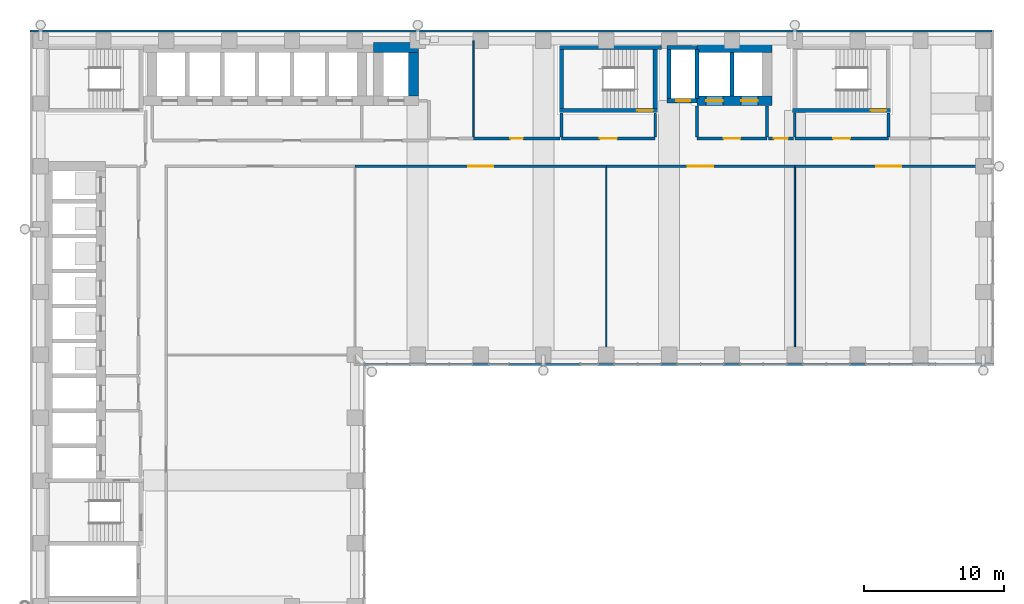
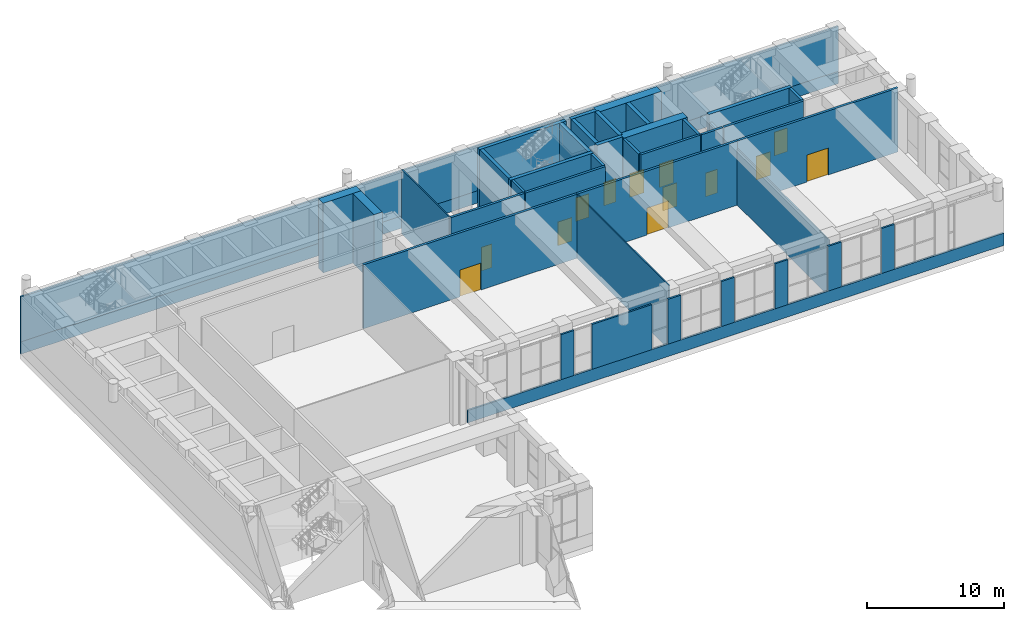
# One storey, part 16 of 22: 41 walls, 13 doors, 13 openings.
"""IFC4 building model written with IfcOpenShell, lengths in metres."""

import ifcopenshell
import ifcopenshell.guid

model = None  # the IFC model being written
_history = None  # IfcOwnerHistory: only IFC2X3 demands one
_inside = {}  # id of a spatial element -> (the spatial element, [elements in it])
_under = {}  # id of a project, library or spatial element -> (it, [spatial elements below it])
_declared = {}  # id of a project -> (the project, [libraries it declares])
_typed = {}  # id of a type object -> (the type object, [elements of that type])
_made_of = {}  # id of a material, layer set ... -> (it, [elements and type objects made of it])


def new_model(schema):
    """Start an empty IFC model of exactly this schema.

    Asked for "IFC4X3", IfcOpenShell would pick the latest addendum, in which some entities
    have other attributes; the version numbers below select the first issue.
    IFC2X3 requires an IfcOwnerHistory on every rooted entity: one is made here for all.
    """
    global model, _history
    if schema == "IFC4X3":
        model = ifcopenshell.file(schema_version=(4, 3, 0, 0))
    else:
        model = ifcopenshell.file(schema=schema)
    _inside.clear()
    _under.clear()
    _declared.clear()
    _typed.clear()
    _made_of.clear()
    _history = None
    if model.schema == "IFC2X3":
        org = make("IfcOrganization", Name="unknown")
        user = make(
            "IfcPersonAndOrganization",
            ThePerson=make("IfcPerson", FamilyName="unknown"),
            TheOrganization=org,
        )
        app = make(
            "IfcApplication",
            ApplicationDeveloper=org,
            Version="unknown",
            ApplicationFullName="unknown",
            ApplicationIdentifier="unknown",
        )
        _history = make(
            "IfcOwnerHistory",
            OwningUser=user,
            OwningApplication=app,
            ChangeAction="ADDED",
            CreationDate=0,
        )
    return model


def make(cls, **values):
    """One entity of the class cls with the attributes given. An attribute that is None is left unset."""
    return model.create_entity(
        cls, **{name: value for name, value in values.items() if value is not None}
    )


def rooted(cls, **values):
    """An entity with a GlobalId (a new one), such as an element, a storey or a relation."""
    return make(cls, GlobalId=ifcopenshell.guid.new(), OwnerHistory=_history, **values)


def si_unit(unit_type, name, prefix=None):
    """IfcSIUnit, for example si_unit("LENGTHUNIT", "METRE", prefix="MILLI")."""
    return make("IfcSIUnit", UnitType=unit_type, Prefix=prefix, Name=name)


def assignment(units):
    """IfcUnitAssignment: the units of a project."""
    return None if units is None else make("IfcUnitAssignment", Units=units)


def point(xyz):
    """IfcCartesianPoint."""
    return None if xyz is None else make("IfcCartesianPoint", Coordinates=xyz)


def direction(xyz):
    """IfcDirection."""
    return None if xyz is None else make("IfcDirection", DirectionRatios=xyz)


def frame(location, z_axis=None, x_axis=None):
    """IfcAxis2Placement3D, a coordinate frame: its origin and axes. An axis left out is left unset."""
    return make(
        "IfcAxis2Placement3D",
        Location=point(location),
        Axis=direction(z_axis),
        RefDirection=direction(x_axis),
    )


def frame_2d(location, x_axis=None):
    """IfcAxis2Placement2D, a coordinate frame in the plane: its origin and x axis."""
    return make(
        "IfcAxis2Placement2D", Location=point(location), RefDirection=direction(x_axis)
    )


def origin():
    """The frame at (0, 0, 0) with its axes left unset."""
    return frame((0.0, 0.0, 0.0))


def place(relative_to, where):
    """IfcLocalPlacement: puts the frame where relative to a parent placement (None: the world)."""
    return make(
        "IfcLocalPlacement", PlacementRelTo=relative_to, RelativePlacement=where
    )


def context(
    kind, dimensions, precision=None, world=None, true_north=None, identifier=None
):
    """IfcGeometricRepresentationContext, for example the 3D "Model" context."""
    return make(
        "IfcGeometricRepresentationContext",
        ContextIdentifier=identifier,
        ContextType=kind,
        CoordinateSpaceDimension=dimensions,
        Precision=precision,
        WorldCoordinateSystem=world,
        TrueNorth=true_north,
    )


def subcontext(parent, identifier, kind, view, scale=None):
    """IfcGeometricRepresentationSubContext, for example "Body" below "Model"."""
    return make(
        "IfcGeometricRepresentationSubContext",
        ContextIdentifier=identifier,
        ContextType=kind,
        ParentContext=parent,
        TargetScale=scale,
        TargetView=view,
    )


def project(units=None, contexts=None):
    """IfcProject with its units and contexts."""
    return rooted(
        "IfcProject",
        Name="project",
        RepresentationContexts=contexts,
        UnitsInContext=assignment(units),
    )


def spatial(cls, under=None, at=None, **own):
    """A site, building, storey or space (cls), placed at a placement, below another one or the project."""
    s = rooted(cls, ObjectPlacement=at, **own)
    if under is not None:
        _under.setdefault(under.id(), (under, []))[1].append(s)
    return s


def profile(cls, at=None, kind="AREA", **sizes):
    """A parametric profile (cls). Its sizes go by their IFC names, for example OverallWidth=200.0."""
    return make(cls, ProfileType=kind, Position=at, **sizes)


def rectangle(**sizes):
    """IfcRectangleProfileDef."""
    return profile("IfcRectangleProfileDef", **sizes)


def extrude(swept, where, along, depth):
    """IfcExtrudedAreaSolid: the profile swept, set in the frame where, extruded along a direction by depth."""
    return make(
        "IfcExtrudedAreaSolid",
        SweptArea=swept,
        Position=where,
        ExtrudedDirection=direction(along),
        Depth=depth,
    )


def shape(context_of_items, identifier, shape_type, items):
    """IfcShapeRepresentation: the items that make up one representation, for example the "Body"."""
    return make(
        "IfcShapeRepresentation",
        ContextOfItems=context_of_items,
        RepresentationIdentifier=identifier,
        RepresentationType=shape_type,
        Items=items,
    )


def material(Name=None, Category=None):
    """IfcMaterial."""
    return make("IfcMaterial", Name=Name, Category=Category)


def layer(
    of_material, thickness, ventilated=None, Name=None, Category=None, Priority=None
):
    """IfcMaterialLayer: one layer of a wall or slab, of a material (None: an air gap)."""
    return make(
        "IfcMaterialLayer",
        Material=of_material,
        LayerThickness=thickness,
        IsVentilated=ventilated,
        Name=Name,
        Category=Category,
        Priority=Priority,
    )


def layer_set(layers, Name=None):
    """IfcMaterialLayerSet."""
    return make("IfcMaterialLayerSet", MaterialLayers=layers, LayerSetName=Name)


def made_of(thing, what):
    """Note that an element or type object is made of a material, layer set ...; save() writes the relation."""
    if what is not None:
        _made_of.setdefault(what.id(), (what, []))[1].append(thing)
    return thing


def type_object(cls, material=None, **own):
    """A type object (cls), such as IfcWallType, which elements share."""
    return made_of(rooted(cls, **own), material)


def element(
    cls,
    number,
    at=None,
    inside=None,
    cuts=None,
    type_object=None,
    material=None,
    context=None,
    identifier="Body",
    shape_type=None,
    held_by="IfcProductDefinitionShape",
    body=None,
    shapes=None,
    **own,
):
    """One element of the class cls, such as IfcWall. Its Tag is "e" and its number.

    at: its placement. inside: the storey or other place that contains it. cuts: it is an
    opening in that element (IfcRelVoidsElement). A single representation is given by context,
    identifier, shape_type and body (its items); several are given by shapes. held_by: the class
    of the entity that holds the representations. save() writes the other relations.
    """
    e = rooted(cls, Tag="e%d" % number, ObjectPlacement=at, **own)
    if body is not None:
        shapes = [shape(context, identifier, shape_type, body)]
    if shapes is not None:
        e.Representation = make(held_by, Representations=shapes)
    if inside is not None:
        _inside.setdefault(inside.id(), (inside, []))[1].append(e)
    if cuts is not None:
        rooted(
            "IfcRelVoidsElement", RelatingBuildingElement=cuts, RelatedOpeningElement=e
        )
    if type_object is not None:
        _typed.setdefault(type_object.id(), (type_object, []))[1].append(e)
    return made_of(e, material)


def fill(opening, filler):
    """IfcRelFillsElement: the door or window that sits in an opening."""
    return rooted(
        "IfcRelFillsElement",
        RelatingOpeningElement=opening,
        RelatedBuildingElement=filler,
    )


def aggregate(whole, parts):
    """IfcRelAggregates: a whole, such as a stair, and the parts it consists of."""
    return rooted("IfcRelAggregates", RelatingObject=whole, RelatedObjects=parts)


def save(model, path):
    """Write the relations noted so far, then the file.

    IfcRelAggregates (storeys below a building ...), IfcRelContainedInSpatialStructure (elements
    in a storey), IfcRelDefinesByType, IfcRelAssociatesMaterial and IfcRelDeclares: one each for
    every whole, place, type object, material and project.
    """
    for whole, parts in _under.values():
        aggregate(whole, parts)
    for where, things in _inside.values():
        rooted(
            "IfcRelContainedInSpatialStructure",
            RelatedElements=things,
            RelatingStructure=where,
        )
    for kind, things in _typed.values():
        rooted("IfcRelDefinesByType", RelatedObjects=things, RelatingType=kind)
    for what, things in _made_of.values():
        rooted("IfcRelAssociatesMaterial", RelatedObjects=things, RelatingMaterial=what)
    for by, libraries in _declared.values():
        rooted("IfcRelDeclares", RelatingContext=by, RelatedDefinitions=libraries)
    model.write(path)


model = new_model("IFC4")

# Units and contexts
model_context = context("Model", 3, precision=1e-05, world=origin(), true_north=direction((0.0, 1.0)))
body_context = subcontext(model_context, "Body", "Model", "MODEL_VIEW")
ifc_project = project(units=[si_unit("LENGTHUNIT", "METRE"), si_unit("AREAUNIT", "SQUARE_METRE"), si_unit("VOLUMEUNIT", "CUBIC_METRE"), si_unit("PLANEANGLEUNIT", "RADIAN"), si_unit("MASSUNIT", "GRAM", prefix="KILO")], contexts=[model_context])

# Site, building, storey
site_placement = place(None, origin())
site = spatial("IfcSite", under=ifc_project, at=site_placement, CompositionType="ELEMENT")
building_placement = place(site_placement, origin())
building = spatial("IfcBuilding", under=site, at=building_placement, Name="Firuza Court", CompositionType="ELEMENT")
storey_placement = place(building_placement, frame((0.0, 0.0, 113.60009765625)))
storey = spatial("IfcBuildingStorey", under=building, at=storey_placement, Name="L28", CompositionType="ELEMENT", Elevation=113.60009765625)

# Wall, opening, door
ifc_material_1 = material(Name="Concrete C60/75", Category="concrete")
ifc_layer_1 = layer(ifc_material_1, 0.300048828125)
ifc_layer_set_1 = layer_set([ifc_layer_1], Name="Concrete C60/75")
wall_type_1 = type_object("IfcWallType", Name="Core wall 300 C60/75", PredefinedType="SHEAR", material=ifc_layer_set_1)
wall_1_placement = place(storey_placement, frame((37.14990234375, 53.5, -0.5), z_axis=(0.0, 0.0, 1.0), x_axis=(1.0, 0.0, 0.0)))
wall_1 = element("IfcWall", 1, at=wall_1_placement, inside=storey, type_object=wall_type_1, Name="Core wall stair L28", PredefinedType="SHEAR", context=body_context, shape_type="SweptSolid", body=[
    extrude(rectangle(XDim=7.0, YDim=0.300048828125, at=frame_2d((3.5, 0.0))), origin(), (0.0, 0.0, 1.0), 6.199951171875),
])
opening_1_placement = place(wall_1_placement, frame((5.580078125, 0.0, 0.5)))
opening_1 = element("IfcOpeningElement", 2, at=opening_1_placement, cuts=wall_1, Name="Opening D28015", PredefinedType="OPENING", context=body_context, shape_type="SweptSolid", body=[
    extrude(rectangle(XDim=1.10009765625, YDim=2.10009765625, at=frame_2d((0.550048828125, 1.050048828125))), frame((0.0, 0.162109375, 0.0), z_axis=(0.0, -1.0, 0.0), x_axis=(1.0, 0.0, 0.0)), (0.0, 0.0, 1.0), 0.323974609375),
])
ifc_material_2 = material(Name="Timber door leaf in hardwood frame", Category="wood")
door_type_1 = type_object("IfcDoorType", Name="Stair door 1100", OperationType="SINGLE_SWING_LEFT", PredefinedType="DOOR", material=ifc_material_2)
door_1_placement = place(opening_1_placement, origin())
door_1 = element("IfcDoor", 3, at=door_1_placement, inside=storey, type_object=door_type_1, Name="Stair door S1", OperationType="SINGLE_SWING_RIGHT", OverallHeight=2.10009765625, OverallWidth=1.10009765625, PredefinedType="DOOR", context=body_context, shape_type="SweptSolid", body=[
    extrude(rectangle(XDim=1.10009765625, YDim=2.10009765625, at=frame_2d((0.550048828125, 1.050048828125))), frame((0.0, 0.02490234375, 0.0), z_axis=(0.0, -1.0, 0.0), x_axis=(1.0, 0.0, 0.0)), (0.0, 0.0, 1.0), 0.050048828125),
])
fill(opening_1, door_1)

# Walls
wall_2_placement = place(storey_placement, frame((37.14990234375, 58.0, -0.5), z_axis=(0.0, 0.0, 1.0), x_axis=(1.0, 0.0, 0.0)))
element("IfcWall", 4, at=wall_2_placement, inside=storey, type_object=wall_type_1, Name="Core wall stair L28", PredefinedType="SHEAR", context=body_context, shape_type="SweptSolid", body=[
    extrude(rectangle(XDim=7.300048828125, YDim=0.300048828125, at=frame_2d((3.64990234375, 0.0))), origin(), (0.0, 0.0, 1.0), 6.199951171875),
])
for number, where, z_axis, x_axis, name in (
    (5, (37.300048828125, 53.64990234375, -0.5), (0.0, 0.0, 1.0), (0.0, 1.0, 0.0), "Core wall stair L28"),
    (6, (44.0, 53.64990234375, -0.5), (0.0, 0.0, 1.0), (0.0, 1.0, 0.0), "Core wall stair L28"),
):
    element("IfcWall", number, at=place(storey_placement, frame(where, z_axis=z_axis, x_axis=x_axis)), inside=storey, type_object=wall_type_1, Name=name, PredefinedType="SHEAR", context=body_context, shape_type="SweptSolid", body=[
        extrude(rectangle(XDim=4.2001953125, YDim=0.300048828125, at=frame_2d((2.10009765625, 0.0))), origin(), (0.0, 0.0, 1.0), 6.199951171875),
    ])

# Wall, opening, door
wall_3_placement = place(storey_placement, frame((44.85009765625, 54.199951171875, -0.5), z_axis=(0.0, 0.0, 1.0), x_axis=(1.0, 0.0, 0.0)))
wall_3 = element("IfcWall", 7, at=wall_3_placement, inside=storey, type_object=wall_type_1, Name="Core wall riser L28", PredefinedType="SHEAR", context=body_context, shape_type="SweptSolid", body=[
    extrude(rectangle(XDim=2.14990234375, YDim=0.300048828125, at=frame_2d((1.074951171875, 0.0))), origin(), (0.0, 0.0, 1.0), 6.199951171875),
])
opening_2_placement = place(wall_3_placement, frame((0.64990234375, 0.0, 0.5)))
opening_2 = element("IfcOpeningElement", 8, at=opening_2_placement, cuts=wall_3, Name="Opening D28013", PredefinedType="OPENING", context=body_context, shape_type="SweptSolid", body=[
    extrude(rectangle(XDim=1.0, YDim=2.10009765625, at=frame_2d((0.5, 1.050048828125))), frame((0.0, 0.162109375, 0.0), z_axis=(0.0, -1.0, 0.0), x_axis=(1.0, 0.0, 0.0)), (0.0, 0.0, 1.0), 0.323974609375),
])
ifc_material_3 = material(Name="Timber door leaf in hardwood frame", Category="wood")
door_type_2 = type_object("IfcDoorType", Name="Riser door 1000", OperationType="SINGLE_SWING_LEFT", PredefinedType="DOOR", material=ifc_material_3)
door_2_placement = place(opening_2_placement, frame((1.0, 0.0, 0.0), z_axis=(0.0, 0.0, 1.0), x_axis=(-1.0, 0.0, 0.0)))
door_2 = element("IfcDoor", 9, at=door_2_placement, inside=storey, type_object=door_type_2, Name="Riser door R3", OperationType="SINGLE_SWING_RIGHT", OverallHeight=2.10009765625, OverallWidth=1.0, PredefinedType="DOOR", context=body_context, shape_type="SweptSolid", body=[
    extrude(rectangle(XDim=1.0, YDim=2.10009765625, at=frame_2d((0.5, 1.050048828125))), frame((0.0, 0.02490234375, 0.0), z_axis=(0.0, -1.0, 0.0), x_axis=(1.0, 0.0, 0.0)), (0.0, 0.0, 1.0), 0.050048828125),
])
fill(opening_2, door_2)

# Walls
wall_4_placement = place(storey_placement, frame((44.85009765625, 58.0, -0.5), z_axis=(0.0, 0.0, 1.0), x_axis=(1.0, 0.0, 0.0)))
element("IfcWall", 10, at=wall_4_placement, inside=storey, type_object=wall_type_1, Name="Core wall riser L28", PredefinedType="SHEAR", context=body_context, shape_type="SweptSolid", body=[
    extrude(rectangle(XDim=2.14990234375, YDim=0.300048828125, at=frame_2d((1.074951171875, 0.0))), origin(), (0.0, 0.0, 1.0), 6.199951171875),
])
for number, where, z_axis, x_axis, name in (
    (11, (45.0, 54.35009765625, -0.5), (0.0, 0.0, 1.0), (0.0, 1.0, 0.0), "Core wall riser L28"),
    (12, (47.0, 54.35009765625, -0.5), (0.0, 0.0, 1.0), (0.0, 1.0, 0.0), "Core wall lift shaft L28"),
):
    element("IfcWall", number, at=place(storey_placement, frame(where, z_axis=z_axis, x_axis=x_axis)), inside=storey, type_object=wall_type_1, Name=name, PredefinedType="SHEAR", context=body_context, shape_type="SweptSolid", body=[
        extrude(rectangle(XDim=3.5, YDim=0.300048828125, at=frame_2d((1.75, 0.0))), origin(), (0.0, 0.0, 1.0), 6.199951171875),
    ])
wall_5_placement = place(storey_placement, frame((49.5, 54.550048828125, -0.5), z_axis=(0.0, 0.0, 1.0), x_axis=(0.0, 1.0, 0.0)))
element("IfcWall", 13, at=wall_5_placement, inside=storey, type_object=wall_type_1, Name="Core wall lift shaft L28", PredefinedType="SHEAR", context=body_context, shape_type="SweptSolid", body=[
    extrude(rectangle(XDim=3.099853515625, YDim=0.300048828125, at=frame_2d((1.5498046875, 0.0))), origin(), (0.0, 0.0, 1.0), 6.199951171875),
])

# Wall, opening, door
wall_6_placement = place(storey_placement, frame((53.85009765625, 53.5, -0.5), z_axis=(0.0, 0.0, 1.0), x_axis=(1.0, 0.0, 0.0)))
wall_6 = element("IfcWall", 14, at=wall_6_placement, inside=storey, type_object=wall_type_1, Name="Core wall stair L28", PredefinedType="SHEAR", context=body_context, shape_type="SweptSolid", body=[
    extrude(rectangle(XDim=7.0, YDim=0.300048828125, at=frame_2d((3.5, 0.0))), origin(), (0.0, 0.0, 1.0), 6.199951171875),
])
opening_3_placement = place(wall_6_placement, frame((5.580078125, 0.0, 0.5)))
opening_3 = element("IfcOpeningElement", 15, at=opening_3_placement, cuts=wall_6, Name="Opening D28019", PredefinedType="OPENING", context=body_context, shape_type="SweptSolid", body=[
    extrude(rectangle(XDim=1.10009765625, YDim=2.10009765625, at=frame_2d((0.550048828125, 1.050048828125))), frame((0.0, 0.162109375, 0.0), z_axis=(0.0, -1.0, 0.0), x_axis=(1.0, 0.0, 0.0)), (0.0, 0.0, 1.0), 0.323974609375),
])
door_3_placement = place(opening_3_placement, origin())
door_3 = element("IfcDoor", 16, at=door_3_placement, inside=storey, type_object=door_type_1, Name="Stair door S4", OperationType="SINGLE_SWING_RIGHT", OverallHeight=2.10009765625, OverallWidth=1.10009765625, PredefinedType="DOOR", context=body_context, shape_type="SweptSolid", body=[
    extrude(rectangle(XDim=1.10009765625, YDim=2.10009765625, at=frame_2d((0.550048828125, 1.050048828125))), frame((0.0, 0.02490234375, 0.0), z_axis=(0.0, -1.0, 0.0), x_axis=(1.0, 0.0, 0.0)), (0.0, 0.0, 1.0), 0.050048828125),
])
fill(opening_3, door_3)

# Walls
ifc_layer_2 = layer(ifc_material_1, 0.699951171875)
ifc_layer_set_2 = layer_set([ifc_layer_2], Name="Concrete C60/75")
wall_type_2 = type_object("IfcWallType", Name="Core wall 700 C60/75", PredefinedType="SHEAR", material=ifc_layer_set_2)
wall_7_placement = place(storey_placement, frame((23.85009765625, 58.0, -0.5), z_axis=(0.0, 0.0, 1.0), x_axis=(1.0, 0.0, 0.0)))
element("IfcWall", 17, at=wall_7_placement, inside=storey, type_object=wall_type_2, Name="Core wall lift shaft L28", PredefinedType="SHEAR", context=body_context, shape_type="SweptSolid", body=[
    extrude(rectangle(XDim=3.199951171875, YDim=0.699951171875, at=frame_2d((1.60009765625, 0.0))), origin(), (0.0, 0.0, 1.0), 6.199951171875),
])
wall_8_placement = place(storey_placement, frame((26.699951171875, 54.550048828125, -0.5), z_axis=(0.0, 0.0, 1.0), x_axis=(0.0, 1.0, 0.0)))
element("IfcWall", 18, at=wall_8_placement, inside=storey, type_object=wall_type_2, Name="Core wall lift shaft L28", PredefinedType="SHEAR", context=body_context, shape_type="SweptSolid", body=[
    extrude(rectangle(XDim=3.099853515625, YDim=0.699951171875, at=frame_2d((1.5498046875, 0.0))), origin(), (0.0, 0.0, 1.0), 6.199951171875),
])

# Wall, openings, doors
wall_9_placement = place(storey_placement, frame((47.0, 54.199951171875, -0.5), z_axis=(0.0, 0.0, 1.0), x_axis=(1.0, 0.0, 0.0)))
wall_9 = element("IfcWall", 19, at=wall_9_placement, inside=storey, type_object=wall_type_2, Name="Core wall lift shaft L28", PredefinedType="SHEAR", context=body_context, shape_type="SweptSolid", body=[
    extrude(rectangle(XDim=5.35009765625, YDim=0.699951171875, at=frame_2d((2.675048828125, 0.0))), origin(), (0.0, 0.0, 1.0), 6.199951171875),
])
opening_4_placement = place(wall_9_placement, frame((0.64990234375, 0.0, 0.5)))
opening_4 = element("IfcOpeningElement", 20, at=opening_4_placement, cuts=wall_9, Name="Opening LD-SH1-28", PredefinedType="OPENING", context=body_context, shape_type="SweptSolid", body=[
    extrude(rectangle(XDim=1.199951171875, YDim=2.10009765625, at=frame_2d((0.60009765625, 1.050048828125))), frame((0.0, 0.36181640625, 0.0), z_axis=(0.0, -1.0, 0.0), x_axis=(1.0, 0.0, 0.0)), (0.0, 0.0, 1.0), 0.723876953125),
])
opening_5_placement = place(wall_9_placement, frame((3.14990234375, 0.0, 0.5)))
opening_5 = element("IfcOpeningElement", 21, at=opening_5_placement, cuts=wall_9, Name="Opening LD-SH2-28", PredefinedType="OPENING", context=body_context, shape_type="SweptSolid", body=[
    extrude(rectangle(XDim=1.199951171875, YDim=2.10009765625, at=frame_2d((0.60009765625, 1.050048828125))), frame((0.0, 0.36181640625, 0.0), z_axis=(0.0, -1.0, 0.0), x_axis=(1.0, 0.0, 0.0)), (0.0, 0.0, 1.0), 0.723876953125),
])
ifc_material_4 = material(Name="Stainless steel 1.4301 door leaf", Category="steel")
door_type_3 = type_object("IfcDoorType", Name="Firefighting lift landing door 1200", OperationType="SLIDING_TO_LEFT", PredefinedType="DOOR", material=ifc_material_4)
door_4_placement = place(opening_4_placement, origin())
door_4 = element("IfcDoor", 22, at=door_4_placement, inside=storey, type_object=door_type_3, Name="Landing door SH1", OperationType="SLIDING_TO_LEFT", OverallHeight=2.10009765625, OverallWidth=1.199951171875, PredefinedType="DOOR", context=body_context, shape_type="SweptSolid", body=[
    extrude(rectangle(XDim=1.199951171875, YDim=2.10009765625, at=frame_2d((0.60009765625, 1.050048828125))), frame((0.0, 0.02490234375, 0.0), z_axis=(0.0, -1.0, 0.0), x_axis=(1.0, 0.0, 0.0)), (0.0, 0.0, 1.0), 0.050048828125),
])
fill(opening_4, door_4)
door_5_placement = place(opening_5_placement, origin())
door_5 = element("IfcDoor", 23, at=door_5_placement, inside=storey, type_object=door_type_3, Name="Landing door SH2", OperationType="SLIDING_TO_LEFT", OverallHeight=2.10009765625, OverallWidth=1.199951171875, PredefinedType="DOOR", context=body_context, shape_type="SweptSolid", body=[
    extrude(rectangle(XDim=1.199951171875, YDim=2.10009765625, at=frame_2d((0.60009765625, 1.050048828125))), frame((0.0, 0.02490234375, 0.0), z_axis=(0.0, -1.0, 0.0), x_axis=(1.0, 0.0, 0.0)), (0.0, 0.0, 1.0), 0.050048828125),
])
fill(opening_5, door_5)

# Wall
wall_10_placement = place(storey_placement, frame((47.0, 58.0, -0.5), z_axis=(0.0, 0.0, 1.0), x_axis=(1.0, 0.0, 0.0)))
element("IfcWall", 24, at=wall_10_placement, inside=storey, type_object=wall_type_2, Name="Core wall lift shaft L28", PredefinedType="SHEAR", context=body_context, shape_type="SweptSolid", body=[
    extrude(rectangle(XDim=5.35009765625, YDim=0.699951171875, at=frame_2d((2.675048828125, 0.0))), origin(), (0.0, 0.0, 1.0), 6.199951171875),
])

# Wall, opening, door
ifc_material_5 = material(Name="Blockwork, plastered both sides", Category="masonry")
ifc_layer_3 = layer(ifc_material_5, 0.199951171875)
ifc_layer_set_3 = layer_set([ifc_layer_3], Name="Blockwork, plastered both sides")
wall_type_3 = type_object("IfcWallType", Name="Corridor wall 200", PredefinedType="PARTITIONING", material=ifc_layer_set_3)
wall_11_placement = place(storey_placement, frame((22.5, 49.5, 0.0), z_axis=(0.0, 0.0, 1.0), x_axis=(1.0, 0.0, 0.0)))
wall_11 = element("IfcWall", 25, at=wall_11_placement, inside=storey, type_object=wall_type_3, Name="Corridor wall 200 L28", PredefinedType="PARTITIONING", context=body_context, shape_type="SweptSolid", body=[
    extrude(rectangle(XDim=18.0, YDim=0.199951171875, at=frame_2d((9.0, 0.0))), origin(), (0.0, 0.0, 1.0), 5.699951171875),
])
opening_6_placement = place(wall_11_placement, frame((8.10009765625, 0.0, 0.0)))
opening_6 = element("IfcOpeningElement", 26, at=opening_6_placement, cuts=wall_11, Name="Opening D28028", PredefinedType="OPENING", context=body_context, shape_type="SweptSolid", body=[
    extrude(rectangle(XDim=1.800048828125, YDim=2.39990234375, at=frame_2d((0.89990234375, 1.199951171875))), frame((0.0, 0.11181640625, 0.0), z_axis=(0.0, -1.0, 0.0), x_axis=(1.0, 0.0, 0.0)), (0.0, 0.0, 1.0), 0.223876953125),
])
ifc_material_6 = material(Name="Timber door leaf in hardwood frame", Category="wood")
door_type_4 = type_object("IfcDoorType", Name="Double door 1800 EI 30", OperationType="DOUBLE_DOOR_SINGLE_SWING", PredefinedType="DOOR", material=ifc_material_6)
door_6_placement = place(opening_6_placement, origin())
door_6 = element("IfcDoor", 27, at=door_6_placement, inside=storey, type_object=door_type_4, Name="Double door", OperationType="DOUBLE_DOOR_SINGLE_SWING", OverallHeight=2.39990234375, OverallWidth=1.800048828125, PredefinedType="DOOR", context=body_context, shape_type="SweptSolid", body=[
    extrude(rectangle(XDim=1.800048828125, YDim=2.39990234375, at=frame_2d((0.89990234375, 1.199951171875))), frame((0.0, 0.02490234375, 0.0), z_axis=(0.0, -1.0, 0.0), x_axis=(1.0, 0.0, 0.0)), (0.0, 0.0, 1.0), 0.050048828125),
])
fill(opening_6, door_6)

wall_12_placement = place(storey_placement, frame((40.5, 49.5, 0.0), z_axis=(0.0, 0.0, 1.0), x_axis=(1.0, 0.0, 0.0)))
wall_12 = element("IfcWall", 28, at=wall_12_placement, inside=storey, type_object=wall_type_3, Name="Corridor wall 200 L28", PredefinedType="PARTITIONING", context=body_context, shape_type="SweptSolid", body=[
    extrude(rectangle(XDim=13.5, YDim=0.199951171875, at=frame_2d((6.75, 0.0))), origin(), (0.0, 0.0, 1.0), 5.699951171875),
])
opening_7_placement = place(wall_12_placement, frame((5.85009765625, 0.0, 0.0)))
opening_7 = element("IfcOpeningElement", 29, at=opening_7_placement, cuts=wall_12, Name="Opening D28029", PredefinedType="OPENING", context=body_context, shape_type="SweptSolid", body=[
    extrude(rectangle(XDim=1.800048828125, YDim=2.39990234375, at=frame_2d((0.89990234375, 1.199951171875))), frame((0.0, 0.11181640625, 0.0), z_axis=(0.0, -1.0, 0.0), x_axis=(1.0, 0.0, 0.0)), (0.0, 0.0, 1.0), 0.223876953125),
])
door_7_placement = place(opening_7_placement, origin())
door_7 = element("IfcDoor", 30, at=door_7_placement, inside=storey, type_object=door_type_4, Name="Double door", OperationType="DOUBLE_DOOR_SINGLE_SWING", OverallHeight=2.39990234375, OverallWidth=1.800048828125, PredefinedType="DOOR", context=body_context, shape_type="SweptSolid", body=[
    extrude(rectangle(XDim=1.800048828125, YDim=2.39990234375, at=frame_2d((0.89990234375, 1.199951171875))), frame((0.0, 0.02490234375, 0.0), z_axis=(0.0, -1.0, 0.0), x_axis=(1.0, 0.0, 0.0)), (0.0, 0.0, 1.0), 0.050048828125),
])
fill(opening_7, door_7)

wall_13_placement = place(storey_placement, frame((54.0, 49.5, 0.0), z_axis=(0.0, 0.0, 1.0), x_axis=(1.0, 0.0, 0.0)))
wall_13 = element("IfcWall", 31, at=wall_13_placement, inside=storey, type_object=wall_type_3, Name="Corridor wall 200 L28", PredefinedType="PARTITIONING", context=body_context, shape_type="SweptSolid", body=[
    extrude(rectangle(XDim=13.5, YDim=0.199951171875, at=frame_2d((6.75, 0.0))), origin(), (0.0, 0.0, 1.0), 5.699951171875),
])
opening_8_placement = place(wall_13_placement, frame((5.824951171875, 0.0, 0.0)))
opening_8 = element("IfcOpeningElement", 32, at=opening_8_placement, cuts=wall_13, Name="Opening D28030", PredefinedType="OPENING", context=body_context, shape_type="SweptSolid", body=[
    extrude(rectangle(XDim=1.800048828125, YDim=2.39990234375, at=frame_2d((0.89990234375, 1.199951171875))), frame((0.0, 0.11181640625, 0.0), z_axis=(0.0, -1.0, 0.0), x_axis=(1.0, 0.0, 0.0)), (0.0, 0.0, 1.0), 0.223876953125),
])
door_8_placement = place(opening_8_placement, origin())
door_8 = element("IfcDoor", 33, at=door_8_placement, inside=storey, type_object=door_type_4, Name="Double door", OperationType="DOUBLE_DOOR_SINGLE_SWING", OverallHeight=2.39990234375, OverallWidth=1.800048828125, PredefinedType="DOOR", context=body_context, shape_type="SweptSolid", body=[
    extrude(rectangle(XDim=1.800048828125, YDim=2.39990234375, at=frame_2d((0.89990234375, 1.199951171875))), frame((0.0, 0.02490234375, 0.0), z_axis=(0.0, -1.0, 0.0), x_axis=(1.0, 0.0, 0.0)), (0.0, 0.0, 1.0), 0.050048828125),
])
fill(opening_8, door_8)

wall_14_placement = place(storey_placement, frame((37.199951171875, 51.5, 0.0), z_axis=(0.0, 0.0, 1.0), x_axis=(-1.0, 0.0, 0.0)))
wall_14 = element("IfcWall", 34, at=wall_14_placement, inside=storey, type_object=wall_type_3, Name="Corridor wall 200 L28", PredefinedType="PARTITIONING", context=body_context, shape_type="SweptSolid", body=[
    extrude(rectangle(XDim=6.199951171875, YDim=0.199951171875, at=frame_2d((3.10009765625, 0.0))), origin(), (0.0, 0.0, 1.0), 5.699951171875),
])
opening_9_placement = place(wall_14_placement, frame((2.675048828125, 0.0, 0.0)))
opening_9 = element("IfcOpeningElement", 35, at=opening_9_placement, cuts=wall_14, Name="Opening D28032", PredefinedType="OPENING", context=body_context, shape_type="SweptSolid", body=[
    extrude(rectangle(XDim=0.89990234375, YDim=2.10009765625, at=frame_2d((0.449951171875, 1.050048828125))), frame((0.0, 0.11181640625, 0.0), z_axis=(0.0, -1.0, 0.0), x_axis=(1.0, 0.0, 0.0)), (0.0, 0.0, 1.0), 0.223876953125),
])
ifc_material_7 = material(Name="Timber door leaf in hardwood frame", Category="wood")
door_type_5 = type_object("IfcDoorType", Name="Room door 900 EI 30", OperationType="SINGLE_SWING_LEFT", PredefinedType="DOOR", material=ifc_material_7)
door_9_placement = place(opening_9_placement, frame((0.89990234375, 0.0, 0.0), z_axis=(0.0, 0.0, 1.0), x_axis=(-1.0, 0.0, 0.0)))
door_9 = element("IfcDoor", 36, at=door_9_placement, inside=storey, type_object=door_type_5, Name="Room door", OperationType="SINGLE_SWING_LEFT", OverallHeight=2.10009765625, OverallWidth=0.89990234375, PredefinedType="DOOR", context=body_context, shape_type="SweptSolid", body=[
    extrude(rectangle(XDim=0.89990234375, YDim=2.10009765625, at=frame_2d((0.449951171875, 1.050048828125))), frame((0.0, 0.02490234375, 0.0), z_axis=(0.0, -1.0, 0.0), x_axis=(1.0, 0.0, 0.0)), (0.0, 0.0, 1.0), 0.050048828125),
])
fill(opening_9, door_9)

# Walls
ifc_material_8 = material(Name="Timber stud partition, plasterboard both sides", Category="wood")
ifc_layer_4 = layer(ifc_material_8, 0.10009765625)
ifc_layer_set_4 = layer_set([ifc_layer_4], Name="Timber stud partition, plasterboard both sides")
wall_type_4 = type_object("IfcWallType", Name="Partition wall 100", PredefinedType="PARTITIONING", material=ifc_layer_set_4)
wall_15_placement = place(storey_placement, frame((40.5, 49.39990234375, 0.0), z_axis=(0.0, 0.0, 1.0), x_axis=(0.0, -1.0, 0.0)))
element("IfcWall", 37, at=wall_15_placement, inside=storey, type_object=wall_type_4, Name="Partition wall 100 L28", PredefinedType="PARTITIONING", context=body_context, shape_type="SweptSolid", body=[
    extrude(rectangle(XDim=13.39990234375, YDim=0.10009765625, at=frame_2d((6.699951171875, 0.0))), origin(), (0.0, 0.0, 1.0), 5.699951171875),
])
wall_16_placement = place(storey_placement, frame((54.0, 49.39990234375, 0.0), z_axis=(0.0, 0.0, 1.0), x_axis=(0.0, -1.0, 0.0)))
element("IfcWall", 38, at=wall_16_placement, inside=storey, type_object=wall_type_4, Name="Partition wall 100 L28", PredefinedType="PARTITIONING", context=body_context, shape_type="SweptSolid", body=[
    extrude(rectangle(XDim=13.39990234375, YDim=0.10009765625, at=frame_2d((6.699951171875, 0.0))), origin(), (0.0, 0.0, 1.0), 5.0),
])
wall_17_placement = place(storey_placement, frame((31.0, 58.5, 0.0), z_axis=(0.0, 0.0, 1.0), x_axis=(0.0, -1.0, 0.0)))
element("IfcWall", 39, at=wall_17_placement, inside=storey, type_object=wall_type_4, Name="Partition wall 100 L28", PredefinedType="PARTITIONING", context=body_context, shape_type="SweptSolid", body=[
    extrude(rectangle(XDim=6.89990234375, YDim=0.10009765625, at=frame_2d((3.449951171875, 0.0))), origin(), (0.0, 0.0, 1.0), 5.699951171875),
])

# Wall, opening, door
ifc_material_9 = material(Name="Blockwork, fire-rated", Category="masonry")
ifc_layer_5 = layer(ifc_material_9, 0.199951171875)
ifc_layer_set_5 = layer_set([ifc_layer_5], Name="Blockwork, fire-rated")
wall_type_5 = type_object("IfcWallType", Name="Plant room wall 200", PredefinedType="PARTITIONING", material=ifc_layer_set_5)
wall_18_placement = place(storey_placement, frame((53.89990234375, 51.5, 0.0), z_axis=(0.0, 0.0, 1.0), x_axis=(-1.0, 0.0, 0.0)))
wall_18 = element("IfcWall", 40, at=wall_18_placement, inside=storey, type_object=wall_type_5, Name="Plant room wall 200 L28", PredefinedType="PARTITIONING", context=body_context, shape_type="SweptSolid", body=[
    extrude(rectangle(XDim=1.7998046875, YDim=0.199951171875, at=frame_2d((0.89990234375, 0.0))), origin(), (0.0, 0.0, 1.0), 5.699951171875),
])
opening_10_placement = place(wall_18_placement, frame((0.39990234375, 0.0, 0.0)))
opening_10 = element("IfcOpeningElement", 41, at=opening_10_placement, cuts=wall_18, Name="Opening D28033", PredefinedType="OPENING", context=body_context, shape_type="SweptSolid", body=[
    extrude(rectangle(XDim=1.0, YDim=2.10009765625, at=frame_2d((0.5, 1.050048828125))), frame((0.0, 0.11181640625, 0.0), z_axis=(0.0, -1.0, 0.0), x_axis=(1.0, 0.0, 0.0)), (0.0, 0.0, 1.0), 0.223876953125),
])
ifc_material_10 = material(Name="Timber door leaf in hardwood frame", Category="wood")
door_type_6 = type_object("IfcDoorType", Name="Store door 1000", OperationType="SINGLE_SWING_LEFT", PredefinedType="DOOR", material=ifc_material_10)
door_10_placement = place(opening_10_placement, frame((1.0, 0.0, 0.0), z_axis=(0.0, 0.0, 1.0), x_axis=(-1.0, 0.0, 0.0)))
door_10 = element("IfcDoor", 42, at=door_10_placement, inside=storey, type_object=door_type_6, Name="Store door", OperationType="SINGLE_SWING_RIGHT", OverallHeight=2.10009765625, OverallWidth=1.0, PredefinedType="DOOR", context=body_context, shape_type="SweptSolid", body=[
    extrude(rectangle(XDim=1.0, YDim=2.10009765625, at=frame_2d((0.5, 1.050048828125))), frame((0.0, 0.02490234375, 0.0), z_axis=(0.0, -1.0, 0.0), x_axis=(1.0, 0.0, 0.0)), (0.0, 0.0, 1.0), 0.050048828125),
])
fill(opening_10, door_10)

# Walls
ifc_material_11 = material(Name="Ceramic tile", Category="ceramic")
ifc_layer_6 = layer(ifc_material_11, 0.02001953125)
ifc_material_12 = material(Name="Mineral wool insulation", Category="insulation")
ifc_layer_7 = layer(ifc_material_12, 0.050048828125)
ifc_material_13 = material(Name="Concrete C40/50 precast", Category="concrete")
ifc_layer_8 = layer(ifc_material_13, 0.080078125)
ifc_layer_set_6 = layer_set([ifc_layer_6, ifc_layer_7, ifc_layer_8], Name="Concrete C40/50 precast")
wall_type_6 = type_object("IfcWallType", Name="Precast cladding wall with turquoise TILE PANEL face 150", PredefinedType="STANDARD", material=ifc_layer_set_6)
wall_19_placement = place(storey_placement, frame((23.10009765625, 35.324951171875, 0.0), z_axis=(0.0, 0.0, 1.0), x_axis=(1.0, 0.0, 0.0)))
element("IfcWall", 43, at=wall_19_placement, inside=storey, type_object=wall_type_6, Name="Facade kerb wall L28 S", PredefinedType="STANDARD", context=body_context, shape_type="SweptSolid", body=[
    extrude(rectangle(XDim=45.14990234375, YDim=0.14990234375, at=frame_2d((22.574951171875, 0.0))), origin(), (0.0, 0.0, 1.0), 1.099853515625),
])
wall_20_placement = place(storey_placement, frame((68.10009765625, 59.175048828125, 0.0), z_axis=(0.0, 0.0, 1.0), x_axis=(-1.0, 0.0, 0.0)))
element("IfcWall", 44, at=wall_20_placement, inside=storey, type_object=wall_type_6, Name="Facade kerb wall L28 N", PredefinedType="STANDARD", context=body_context, shape_type="SweptSolid", body=[
    extrude(rectangle(XDim=68.85009765625, YDim=0.14990234375, at=frame_2d((34.425048828125, 0.0))), origin(), (0.0, 0.0, 1.0), 1.099853515625),
])
wall_21_placement = place(storey_placement, frame((30.949951171875, 35.324951171875, 1.099853515625), z_axis=(0.0, 0.0, 1.0), x_axis=(1.0, 0.0, 0.0)))
element("IfcWall", 45, at=wall_21_placement, inside=storey, type_object=wall_type_6, Name="Facade wall L28 S", PredefinedType="STANDARD", context=body_context, shape_type="SweptSolid", body=[
    extrude(rectangle(XDim=1.10009765625, YDim=0.14990234375, at=frame_2d((0.550048828125, 0.0))), origin(), (0.0, 0.0, 1.0), 4.0),
])
wall_22_placement = place(storey_placement, frame((33.561767578125, 35.324951171875, 1.099853515625), z_axis=(0.0, 0.0, 1.0), x_axis=(1.0, 0.0, 0.0)))
element("IfcWall", 46, at=wall_22_placement, inside=storey, type_object=wall_type_6, Name="Facade wall L28 S", PredefinedType="STANDARD", context=body_context, shape_type="SweptSolid", body=[
    extrude(rectangle(XDim=5.051025390625, YDim=0.14990234375, at=frame_2d((2.525390625, 0.0))), origin(), (0.0, 0.0, 1.0), 4.0),
])
for number, where, z_axis, x_axis, name in (
    (47, (39.949951171875, 35.324951171875, 1.099853515625), (0.0, 0.0, 1.0), (1.0, 0.0, 0.0), "Facade wall L28 S"),
    (48, (44.449951171875, 35.324951171875, 1.099853515625), (0.0, 0.0, 1.0), (1.0, 0.0, 0.0), "Facade wall L28 S"),
    (49, (48.949951171875, 35.324951171875, 1.099853515625), (0.0, 0.0, 1.0), (1.0, 0.0, 0.0), "Facade wall L28 S"),
    (50, (53.449951171875, 35.324951171875, 1.099853515625), (0.0, 0.0, 1.0), (1.0, 0.0, 0.0), "Facade wall L28 S"),
    (51, (57.949951171875, 35.324951171875, 1.099853515625), (0.0, 0.0, 1.0), (1.0, 0.0, 0.0), "Facade wall L28 S"),
):
    element("IfcWall", number, at=place(storey_placement, frame(where, z_axis=z_axis, x_axis=x_axis)), inside=storey, type_object=wall_type_6, Name=name, PredefinedType="STANDARD", context=body_context, shape_type="SweptSolid", body=[
        extrude(rectangle(XDim=1.10009765625, YDim=0.14990234375, at=frame_2d((0.550048828125, 0.0))), origin(), (0.0, 0.0, 1.0), 4.0),
    ])
wall_23_placement = place(storey_placement, frame((68.10009765625, 59.175048828125, 1.099853515625), z_axis=(0.0, 0.0, 1.0), x_axis=(-1.0, 0.0, 0.0)))
element("IfcWall", 52, at=wall_23_placement, inside=storey, type_object=wall_type_6, Name="Facade wall L28 N", PredefinedType="STANDARD", context=body_context, shape_type="SweptSolid", body=[
    extrude(rectangle(XDim=68.85009765625, YDim=0.14990234375, at=frame_2d((34.425048828125, 0.0))), origin(), (0.0, 0.0, 1.0), 4.0),
])

# Wall, opening, door
ifc_layer_9 = layer(ifc_material_9, 0.199951171875)
ifc_layer_set_7 = layer_set([ifc_layer_9], Name="Blockwork, fire-rated")
wall_type_7 = type_object("IfcWallType", Name="Shaft wall 200", PredefinedType="PARTITIONING", material=ifc_layer_set_7)
wall_24_placement = place(storey_placement, frame((47.0, 51.5, 0.0), z_axis=(0.0, 0.0, 1.0), x_axis=(1.0, 0.0, 0.0)))
wall_24 = element("IfcWall", 53, at=wall_24_placement, inside=storey, type_object=wall_type_7, Name="Shaft wall 200 L28", PredefinedType="PARTITIONING", context=body_context, shape_type="SweptSolid", body=[
    extrude(rectangle(XDim=5.0, YDim=0.199951171875, at=frame_2d((2.5, 0.0))), origin(), (0.0, 0.0, 1.0), 5.699951171875),
])
opening_11_placement = place(wall_24_placement, frame((1.89990234375, 0.0, 0.0)))
opening_11 = element("IfcOpeningElement", 54, at=opening_11_placement, cuts=wall_24, Name="Opening D28011", PredefinedType="OPENING", context=body_context, shape_type="SweptSolid", body=[
    extrude(rectangle(XDim=1.199951171875, YDim=2.10009765625, at=frame_2d((0.60009765625, 1.050048828125))), frame((0.0, 0.11181640625, 0.0), z_axis=(0.0, -1.0, 0.0), x_axis=(1.0, 0.0, 0.0)), (0.0, 0.0, 1.0), 0.223876953125),
])
ifc_material_14 = material(Name="Timber door leaf in hardwood frame", Category="wood")
door_type_7 = type_object("IfcDoorType", Name="Lobby door 1200", OperationType="SINGLE_SWING_LEFT", PredefinedType="DOOR", material=ifc_material_14)
door_11_placement = place(opening_11_placement, origin())
door_11 = element("IfcDoor", 55, at=door_11_placement, inside=storey, type_object=door_type_7, Name="Lobby door", OperationType="SINGLE_SWING_LEFT", OverallHeight=2.10009765625, OverallWidth=1.199951171875, PredefinedType="DOOR", context=body_context, shape_type="SweptSolid", body=[
    extrude(rectangle(XDim=1.199951171875, YDim=2.10009765625, at=frame_2d((0.60009765625, 1.050048828125))), frame((0.0, 0.02490234375, 0.0), z_axis=(0.0, -1.0, 0.0), x_axis=(1.0, 0.0, 0.0)), (0.0, 0.0, 1.0), 0.050048828125),
])
fill(opening_11, door_11)

# Walls
for number, where, z_axis, x_axis, name in (
    (56, (52.0, 51.60009765625, 0.0), (0.0, 0.0, 1.0), (0.0, 1.0, 0.0), "Shaft wall 200 L28"),
    (57, (47.0, 51.60009765625, 0.0), (0.0, 0.0, 1.0), (0.0, 1.0, 0.0), "Shaft wall 200 L28"),
):
    element("IfcWall", number, at=place(storey_placement, frame(where, z_axis=z_axis, x_axis=x_axis)), inside=storey, type_object=wall_type_7, Name=name, PredefinedType="PARTITIONING", context=body_context, shape_type="SweptSolid", body=[
        extrude(rectangle(XDim=2.22998046875, YDim=0.199951171875, at=frame_2d((1.114990234375, 0.0))), origin(), (0.0, 0.0, 1.0), 5.699951171875),
    ])

# Wall, opening, door
wall_25_placement = place(storey_placement, frame((37.300048828125, 51.5, 0.0), z_axis=(0.0, 0.0, 1.0), x_axis=(1.0, 0.0, 0.0)))
wall_25 = element("IfcWall", 58, at=wall_25_placement, inside=storey, type_object=wall_type_7, Name="Shaft wall 200 L28", PredefinedType="PARTITIONING", context=body_context, shape_type="SweptSolid", body=[
    extrude(rectangle(XDim=6.699951171875, YDim=0.199951171875, at=frame_2d((3.35009765625, 0.0))), origin(), (0.0, 0.0, 1.0), 5.699951171875),
])
opening_12_placement = place(wall_25_placement, frame((2.75, 0.0, 0.0)))
opening_12 = element("IfcOpeningElement", 59, at=opening_12_placement, cuts=wall_25, Name="Opening D28008", PredefinedType="OPENING", context=body_context, shape_type="SweptSolid", body=[
    extrude(rectangle(XDim=1.199951171875, YDim=2.10009765625, at=frame_2d((0.60009765625, 1.050048828125))), frame((0.0, 0.11181640625, 0.0), z_axis=(0.0, -1.0, 0.0), x_axis=(1.0, 0.0, 0.0)), (0.0, 0.0, 1.0), 0.223876953125),
])
door_12_placement = place(opening_12_placement, origin())
door_12 = element("IfcDoor", 60, at=door_12_placement, inside=storey, type_object=door_type_7, Name="Lobby door", OperationType="SINGLE_SWING_LEFT", OverallHeight=2.10009765625, OverallWidth=1.199951171875, PredefinedType="DOOR", context=body_context, shape_type="SweptSolid", body=[
    extrude(rectangle(XDim=1.199951171875, YDim=2.10009765625, at=frame_2d((0.60009765625, 1.050048828125))), frame((0.0, 0.02490234375, 0.0), z_axis=(0.0, -1.0, 0.0), x_axis=(1.0, 0.0, 0.0)), (0.0, 0.0, 1.0), 0.050048828125),
])
fill(opening_12, door_12)

# Walls
for number, where, z_axis, x_axis, name in (
    (61, (44.0, 51.60009765625, 0.0), (0.0, 0.0, 1.0), (0.0, 1.0, 0.0), "Shaft wall 200 L28"),
    (62, (37.300048828125, 51.60009765625, 0.0), (0.0, 0.0, 1.0), (0.0, 1.0, 0.0), "Shaft wall 200 L28"),
):
    element("IfcWall", number, at=place(storey_placement, frame(where, z_axis=z_axis, x_axis=x_axis)), inside=storey, type_object=wall_type_7, Name=name, PredefinedType="PARTITIONING", context=body_context, shape_type="SweptSolid", body=[
        extrude(rectangle(XDim=1.72998046875, YDim=0.199951171875, at=frame_2d((0.864990234375, 0.0))), origin(), (0.0, 0.0, 1.0), 5.699951171875),
    ])

# Wall, opening, door
wall_26_placement = place(storey_placement, frame((54.0, 51.5, 0.0), z_axis=(0.0, 0.0, 1.0), x_axis=(1.0, 0.0, 0.0)))
wall_26 = element("IfcWall", 63, at=wall_26_placement, inside=storey, type_object=wall_type_7, Name="Shaft wall 200 L28", PredefinedType="PARTITIONING", context=body_context, shape_type="SweptSolid", body=[
    extrude(rectangle(XDim=6.699951171875, YDim=0.199951171875, at=frame_2d((3.35009765625, 0.0))), origin(), (0.0, 0.0, 1.0), 5.699951171875),
])
opening_13_placement = place(wall_26_placement, frame((2.75, 0.0, 0.0)))
opening_13 = element("IfcOpeningElement", 64, at=opening_13_placement, cuts=wall_26, Name="Opening D28009", PredefinedType="OPENING", context=body_context, shape_type="SweptSolid", body=[
    extrude(rectangle(XDim=1.199951171875, YDim=2.10009765625, at=frame_2d((0.60009765625, 1.050048828125))), frame((0.0, 0.11181640625, 0.0), z_axis=(0.0, -1.0, 0.0), x_axis=(1.0, 0.0, 0.0)), (0.0, 0.0, 1.0), 0.223876953125),
])
door_13_placement = place(opening_13_placement, origin())
door_13 = element("IfcDoor", 65, at=door_13_placement, inside=storey, type_object=door_type_7, Name="Lobby door", OperationType="SINGLE_SWING_LEFT", OverallHeight=2.10009765625, OverallWidth=1.199951171875, PredefinedType="DOOR", context=body_context, shape_type="SweptSolid", body=[
    extrude(rectangle(XDim=1.199951171875, YDim=2.10009765625, at=frame_2d((0.60009765625, 1.050048828125))), frame((0.0, 0.02490234375, 0.0), z_axis=(0.0, -1.0, 0.0), x_axis=(1.0, 0.0, 0.0)), (0.0, 0.0, 1.0), 0.050048828125),
])
fill(opening_13, door_13)

# Walls
wall_27_placement = place(storey_placement, frame((60.699951171875, 51.60009765625, 0.0), z_axis=(0.0, 0.0, 1.0), x_axis=(0.0, 1.0, 0.0)))
element("IfcWall", 66, at=wall_27_placement, inside=storey, type_object=wall_type_7, Name="Shaft wall 200 L28", PredefinedType="PARTITIONING", context=body_context, shape_type="SweptSolid", body=[
    extrude(rectangle(XDim=1.72998046875, YDim=0.199951171875, at=frame_2d((0.864990234375, 0.0))), origin(), (0.0, 0.0, 1.0), 5.699951171875),
])
wall_28_placement = place(storey_placement, frame((54.0, 51.60009765625, 0.0), z_axis=(0.0, 0.0, 1.0), x_axis=(0.0, 1.0, 0.0)))
element("IfcWall", 67, at=wall_28_placement, inside=storey, type_object=wall_type_7, Name="Shaft wall 200 L28", PredefinedType="PARTITIONING", context=body_context, shape_type="SweptSolid", body=[
    extrude(rectangle(XDim=1.72998046875, YDim=0.199951171875, at=frame_2d((0.864990234375, 0.0))), origin(), (0.0, 0.0, 1.0), 5.0),
])

save(model, "model.ifc")
